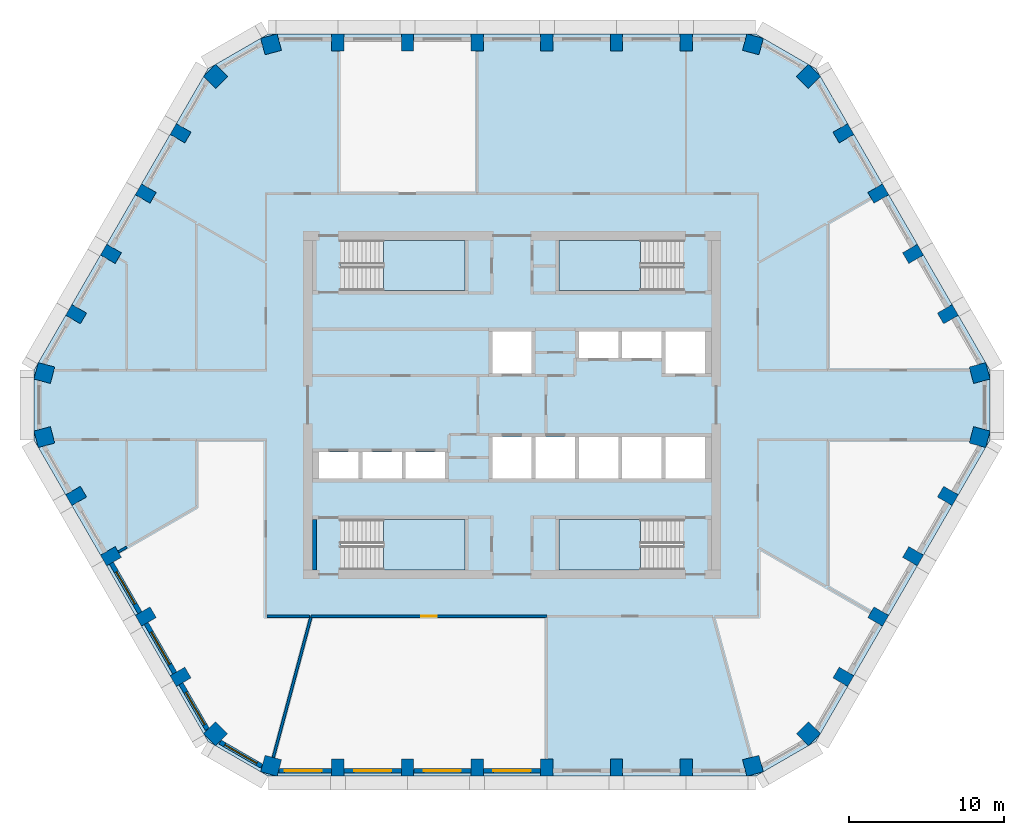
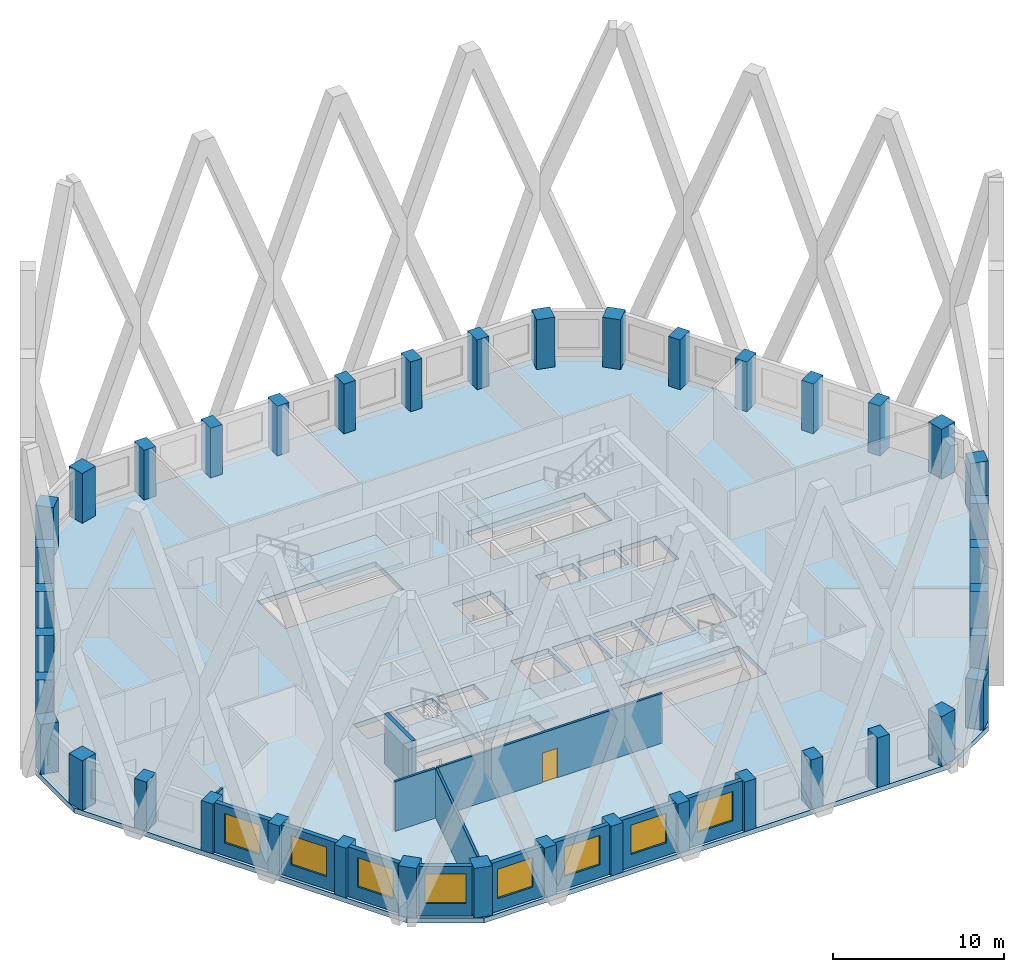
# One storey, part 1 of 15: 40 columns, 13 walls, 8 windows, 5 slabs, 1 door, 9 openings, 4 elements without a shape of their own.
"""IFC4 building model written with IfcOpenShell, lengths in metres."""

import ifcopenshell
import ifcopenshell.guid

model = None  # the IFC model being written
_history = None  # IfcOwnerHistory: only IFC2X3 demands one
_inside = {}  # id of a spatial element -> (the spatial element, [elements in it])
_under = {}  # id of a project, library or spatial element -> (it, [spatial elements below it])
_declared = {}  # id of a project -> (the project, [libraries it declares])
_typed = {}  # id of a type object -> (the type object, [elements of that type])
_made_of = {}  # id of a material, layer set ... -> (it, [elements and type objects made of it])


def new_model(schema):
    """Start an empty IFC model of exactly this schema.

    Asked for "IFC4X3", IfcOpenShell would pick the latest addendum, in which some entities
    have other attributes; the version numbers below select the first issue.
    IFC2X3 requires an IfcOwnerHistory on every rooted entity: one is made here for all.
    """
    global model, _history
    if schema == "IFC4X3":
        model = ifcopenshell.file(schema_version=(4, 3, 0, 0))
    else:
        model = ifcopenshell.file(schema=schema)
    _inside.clear()
    _under.clear()
    _declared.clear()
    _typed.clear()
    _made_of.clear()
    _history = None
    if model.schema == "IFC2X3":
        org = make("IfcOrganization", Name="unknown")
        user = make(
            "IfcPersonAndOrganization",
            ThePerson=make("IfcPerson", FamilyName="unknown"),
            TheOrganization=org,
        )
        app = make(
            "IfcApplication",
            ApplicationDeveloper=org,
            Version="unknown",
            ApplicationFullName="unknown",
            ApplicationIdentifier="unknown",
        )
        _history = make(
            "IfcOwnerHistory",
            OwningUser=user,
            OwningApplication=app,
            ChangeAction="ADDED",
            CreationDate=0,
        )
    return model


def make(cls, **values):
    """One entity of the class cls with the attributes given. An attribute that is None is left unset."""
    return model.create_entity(
        cls, **{name: value for name, value in values.items() if value is not None}
    )


def rooted(cls, **values):
    """An entity with a GlobalId (a new one), such as an element, a storey or a relation."""
    return make(cls, GlobalId=ifcopenshell.guid.new(), OwnerHistory=_history, **values)


def si_unit(unit_type, name, prefix=None):
    """IfcSIUnit, for example si_unit("LENGTHUNIT", "METRE", prefix="MILLI")."""
    return make("IfcSIUnit", UnitType=unit_type, Prefix=prefix, Name=name)


def assignment(units):
    """IfcUnitAssignment: the units of a project."""
    return None if units is None else make("IfcUnitAssignment", Units=units)


def point(xyz):
    """IfcCartesianPoint."""
    return None if xyz is None else make("IfcCartesianPoint", Coordinates=xyz)


def direction(xyz):
    """IfcDirection."""
    return None if xyz is None else make("IfcDirection", DirectionRatios=xyz)


def frame(location, z_axis=None, x_axis=None):
    """IfcAxis2Placement3D, a coordinate frame: its origin and axes. An axis left out is left unset."""
    return make(
        "IfcAxis2Placement3D",
        Location=point(location),
        Axis=direction(z_axis),
        RefDirection=direction(x_axis),
    )


def frame_2d(location, x_axis=None):
    """IfcAxis2Placement2D, a coordinate frame in the plane: its origin and x axis."""
    return make(
        "IfcAxis2Placement2D", Location=point(location), RefDirection=direction(x_axis)
    )


def origin():
    """The frame at (0, 0, 0) with its axes left unset."""
    return frame((0.0, 0.0, 0.0))


def origin_2d():
    """The frame at (0, 0) in the plane with its x axis left unset."""
    return frame_2d((0.0, 0.0))


def place(relative_to, where):
    """IfcLocalPlacement: puts the frame where relative to a parent placement (None: the world)."""
    return make(
        "IfcLocalPlacement", PlacementRelTo=relative_to, RelativePlacement=where
    )


def context(
    kind, dimensions, precision=None, world=None, true_north=None, identifier=None
):
    """IfcGeometricRepresentationContext, for example the 3D "Model" context."""
    return make(
        "IfcGeometricRepresentationContext",
        ContextIdentifier=identifier,
        ContextType=kind,
        CoordinateSpaceDimension=dimensions,
        Precision=precision,
        WorldCoordinateSystem=world,
        TrueNorth=true_north,
    )


def subcontext(parent, identifier, kind, view, scale=None):
    """IfcGeometricRepresentationSubContext, for example "Body" below "Model"."""
    return make(
        "IfcGeometricRepresentationSubContext",
        ContextIdentifier=identifier,
        ContextType=kind,
        ParentContext=parent,
        TargetScale=scale,
        TargetView=view,
    )


def project(units=None, contexts=None):
    """IfcProject with its units and contexts."""
    return rooted(
        "IfcProject",
        Name="project",
        RepresentationContexts=contexts,
        UnitsInContext=assignment(units),
    )


def spatial(cls, under=None, at=None, **own):
    """A site, building, storey or space (cls), placed at a placement, below another one or the project."""
    s = rooted(cls, ObjectPlacement=at, **own)
    if under is not None:
        _under.setdefault(under.id(), (under, []))[1].append(s)
    return s


def polyline(points):
    """IfcPolyline through the points."""
    return make("IfcPolyline", Points=[point(p) for p in points])


def profile(cls, at=None, kind="AREA", **sizes):
    """A parametric profile (cls). Its sizes go by their IFC names, for example OverallWidth=200.0."""
    return make(cls, ProfileType=kind, Position=at, **sizes)


def rectangle(**sizes):
    """IfcRectangleProfileDef."""
    return profile("IfcRectangleProfileDef", **sizes)


def outline(outer, holes=None, kind="AREA"):
    """IfcArbitraryClosedProfileDef: a profile drawn as a closed curve; with holes, ...WithVoids."""
    if holes is None:
        return make("IfcArbitraryClosedProfileDef", ProfileType=kind, OuterCurve=outer)
    return make(
        "IfcArbitraryProfileDefWithVoids",
        ProfileType=kind,
        OuterCurve=outer,
        InnerCurves=holes,
    )


def extrude(swept, where, along, depth):
    """IfcExtrudedAreaSolid: the profile swept, set in the frame where, extruded along a direction by depth."""
    return make(
        "IfcExtrudedAreaSolid",
        SweptArea=swept,
        Position=where,
        ExtrudedDirection=direction(along),
        Depth=depth,
    )


def shape(context_of_items, identifier, shape_type, items):
    """IfcShapeRepresentation: the items that make up one representation, for example the "Body"."""
    return make(
        "IfcShapeRepresentation",
        ContextOfItems=context_of_items,
        RepresentationIdentifier=identifier,
        RepresentationType=shape_type,
        Items=items,
    )


def material(Name=None, Category=None):
    """IfcMaterial."""
    return make("IfcMaterial", Name=Name, Category=Category)


def layer(
    of_material, thickness, ventilated=None, Name=None, Category=None, Priority=None
):
    """IfcMaterialLayer: one layer of a wall or slab, of a material (None: an air gap)."""
    return make(
        "IfcMaterialLayer",
        Material=of_material,
        LayerThickness=thickness,
        IsVentilated=ventilated,
        Name=Name,
        Category=Category,
        Priority=Priority,
    )


def layer_set(layers, Name=None):
    """IfcMaterialLayerSet."""
    return make("IfcMaterialLayerSet", MaterialLayers=layers, LayerSetName=Name)


def material_profile(
    of_material, cross_section, Name=None, Category=None, Priority=None
):
    """IfcMaterialProfile: a cross section and its material."""
    return make(
        "IfcMaterialProfile",
        Name=Name,
        Material=of_material,
        Profile=cross_section,
        Priority=Priority,
        Category=Category,
    )


def profile_set(profiles, Name=None, composite=None):
    """IfcMaterialProfileSet."""
    return make(
        "IfcMaterialProfileSet",
        Name=Name,
        MaterialProfiles=profiles,
        CompositeProfile=composite,
    )


def made_of(thing, what):
    """Note that an element or type object is made of a material, layer set ...; save() writes the relation."""
    if what is not None:
        _made_of.setdefault(what.id(), (what, []))[1].append(thing)
    return thing


def type_object(cls, material=None, **own):
    """A type object (cls), such as IfcWallType, which elements share."""
    return made_of(rooted(cls, **own), material)


def element(
    cls,
    number,
    at=None,
    inside=None,
    cuts=None,
    type_object=None,
    material=None,
    context=None,
    identifier="Body",
    shape_type=None,
    held_by="IfcProductDefinitionShape",
    body=None,
    shapes=None,
    **own,
):
    """One element of the class cls, such as IfcWall. Its Tag is "e" and its number.

    at: its placement. inside: the storey or other place that contains it. cuts: it is an
    opening in that element (IfcRelVoidsElement). A single representation is given by context,
    identifier, shape_type and body (its items); several are given by shapes. held_by: the class
    of the entity that holds the representations. save() writes the other relations.
    """
    e = rooted(cls, Tag="e%d" % number, ObjectPlacement=at, **own)
    if body is not None:
        shapes = [shape(context, identifier, shape_type, body)]
    if shapes is not None:
        e.Representation = make(held_by, Representations=shapes)
    if inside is not None:
        _inside.setdefault(inside.id(), (inside, []))[1].append(e)
    if cuts is not None:
        rooted(
            "IfcRelVoidsElement", RelatingBuildingElement=cuts, RelatedOpeningElement=e
        )
    if type_object is not None:
        _typed.setdefault(type_object.id(), (type_object, []))[1].append(e)
    return made_of(e, material)


def fill(opening, filler):
    """IfcRelFillsElement: the door or window that sits in an opening."""
    return rooted(
        "IfcRelFillsElement",
        RelatingOpeningElement=opening,
        RelatedBuildingElement=filler,
    )


def aggregate(whole, parts):
    """IfcRelAggregates: a whole, such as a stair, and the parts it consists of."""
    return rooted("IfcRelAggregates", RelatingObject=whole, RelatedObjects=parts)


def save(model, path):
    """Write the relations noted so far, then the file.

    IfcRelAggregates (storeys below a building ...), IfcRelContainedInSpatialStructure (elements
    in a storey), IfcRelDefinesByType, IfcRelAssociatesMaterial and IfcRelDeclares: one each for
    every whole, place, type object, material and project.
    """
    for whole, parts in _under.values():
        aggregate(whole, parts)
    for where, things in _inside.values():
        rooted(
            "IfcRelContainedInSpatialStructure",
            RelatedElements=things,
            RelatingStructure=where,
        )
    for kind, things in _typed.values():
        rooted("IfcRelDefinesByType", RelatedObjects=things, RelatingType=kind)
    for what, things in _made_of.values():
        rooted("IfcRelAssociatesMaterial", RelatedObjects=things, RelatingMaterial=what)
    for by, libraries in _declared.values():
        rooted("IfcRelDeclares", RelatingContext=by, RelatedDefinitions=libraries)
    model.write(path)


model = new_model("IFC4")

# Units and contexts
model_context = context("Model", 3, precision=1e-05, world=origin(), true_north=direction((0.0, 1.0)))
body_context = subcontext(model_context, "Body", "Model", "MODEL_VIEW")
ifc_project = project(units=[si_unit("LENGTHUNIT", "METRE"), si_unit("AREAUNIT", "SQUARE_METRE"), si_unit("VOLUMEUNIT", "CUBIC_METRE"), si_unit("PLANEANGLEUNIT", "RADIAN"), si_unit("MASSUNIT", "GRAM", prefix="KILO")], contexts=[model_context])

# Site, building, storey
site_placement = place(None, origin())
site = spatial("IfcSite", under=ifc_project, at=site_placement, CompositionType="ELEMENT")
building_placement = place(site_placement, origin())
building = spatial("IfcBuilding", under=site, at=building_placement, Name="Dhurran Vertical Campus", CompositionType="ELEMENT")
storey_placement = place(building_placement, frame((0.0, 0.0, 207.300048828125)))
storey = spatial("IfcBuildingStorey", under=building, at=storey_placement, Name="L51", CompositionType="ELEMENT", Elevation=207.300048828125)

# Columns
ifc_material_1 = material(Name="Concrete C50/60", Category="concrete")
ifc_material_profile_1 = material_profile(ifc_material_1, rectangle(XDim=1.10009765625, YDim=1.10009765625, at=origin_2d()), Name="RC 1100x1100")
ifc_profile_set_1 = profile_set([ifc_material_profile_1], Name="Concrete C50/60")
column_type_1 = type_object("IfcColumnType", Name="FR COL RC 1100x1100 C50/60", PredefinedType="COLUMN", material=ifc_profile_set_1)
for number, where, z_axis, x_axis, name in (
    (1, (-15.569580078125, -23.31201171875, 0.0), (0.0, 0.0, 1.0), (0.965925826289, -0.258819045103, 0.0), "Perimeter pier PP4.00"),
    (2, (15.569580078125, -23.31201171875, 0.0), (0.0, 0.0, 1.0), (0.965925826289, 0.258819045103, 0.0), "Perimeter pier PP4.07"),
    (3, (19.154052734375, -21.242431640625, 0.0), (0.0, 0.0, 1.0), (0.707106781187, 0.707106781187, 0.0), "Perimeter pier PP4.08"),
    (4, (30.223388671875, -2.069580078125, 0.0), (0.0, 0.0, 1.0), (0.258819045103, 0.965925826289, 0.0), "Perimeter pier PP4.13"),
    (5, (30.223388671875, 2.069580078125, 0.0), (0.0, 0.0, 1.0), (-0.258819045103, 0.965925826289, 0.0), "Perimeter pier PP4.14"),
    (6, (19.154052734375, 21.242431640625, 0.0), (0.0, 0.0, 1.0), (-0.707106781187, 0.707106781187, 0.0), "Perimeter pier PP4.19"),
    (7, (15.569580078125, 23.31201171875, 0.0), (0.0, 0.0, 1.0), (-0.965925826289, 0.258819045103, 0.0), "Perimeter pier PP4.20"),
    (8, (-15.569580078125, 23.31201171875, 0.0), (0.0, 0.0, 1.0), (-0.965925826289, -0.258819045103, 0.0), "Perimeter pier PP4.27"),
    (9, (-19.154052734375, 21.242431640625, 0.0), (0.0, 0.0, 1.0), (-0.707106781187, -0.707106781187, 0.0), "Perimeter pier PP4.28"),
    (10, (-30.223388671875, 2.069580078125, 0.0), (0.0, 0.0, 1.0), (-0.258819045103, -0.965925826289, 0.0), "Perimeter pier PP4.33"),
    (11, (-30.223388671875, -2.069580078125, 0.0), (0.0, 0.0, 1.0), (0.258819045103, -0.965925826289, 0.0), "Perimeter pier PP4.34"),
    (12, (-19.154052734375, -21.242431640625, 0.0), (0.0, 0.0, 1.0), (0.707106781187, -0.707106781187, 0.0), "Perimeter pier PP4.39"),
):
    element("IfcColumn", number, at=place(storey_placement, frame(where, z_axis=z_axis, x_axis=x_axis)), inside=storey, type_object=column_type_1, Name=name, PredefinedType="COLUMN", context=body_context, shape_type="SweptSolid", body=[
        extrude(rectangle(XDim=1.10009765625, YDim=1.10009765625, at=origin_2d()), origin(), (0.0, 0.0, 1.0), 3.550048828125),
    ])
ifc_material_2 = material(Name="Concrete C50/60", Category="concrete")
ifc_material_profile_2 = material_profile(ifc_material_2, rectangle(XDim=0.800048828125, YDim=1.10009765625, at=origin_2d()), Name="RC 800x1100")
ifc_profile_set_2 = profile_set([ifc_material_profile_2], Name="Concrete C50/60")
column_type_2 = type_object("IfcColumnType", Name="FR COL RC 800x1100 C50/60", PredefinedType="COLUMN", material=ifc_profile_set_2)
for number, where, z_axis, x_axis, name in (
    (13, (-11.25, -23.435546875, 0.0), (0.0, 0.0, 1.0), (1.0, 0.0, 0.0), "Perimeter pier PP4.01"),
    (14, (-6.75, -23.435546875, 0.0), (0.0, 0.0, 1.0), (1.0, 0.0, 0.0), "Perimeter pier PP4.02"),
    (15, (-2.25, -23.435546875, 0.0), (0.0, 0.0, 1.0), (1.0, 0.0, 0.0), "Perimeter pier PP4.03"),
    (16, (2.25, -23.435546875, 0.0), (0.0, 0.0, 1.0), (1.0, 0.0, 0.0), "Perimeter pier PP4.04"),
    (17, (6.75, -23.435546875, 0.0), (0.0, 0.0, 1.0), (1.0, 0.0, 0.0), "Perimeter pier PP4.05"),
    (18, (11.25, -23.435546875, 0.0), (0.0, 0.0, 1.0), (1.0, 0.0, 0.0), "Perimeter pier PP4.06"),
    (19, (21.4208984375, -17.5634765625, 0.0), (0.0, 0.0, 1.0), (0.5, 0.866025403784, 0.0), "Perimeter pier PP4.09"),
    (20, (23.6708984375, -13.666259765625, 0.0), (0.0, 0.0, 1.0), (0.5, 0.866025403784, 0.0), "Perimeter pier PP4.10"),
    (21, (25.9208984375, -9.769287109375, 0.0), (0.0, 0.0, 1.0), (0.5, 0.866025403784, 0.0), "Perimeter pier PP4.11"),
    (22, (28.1708984375, -5.8720703125, 0.0), (0.0, 0.0, 1.0), (0.5, 0.866025403784, 0.0), "Perimeter pier PP4.12"),
    (23, (28.1708984375, 5.8720703125, 0.0), (0.0, 0.0, 1.0), (-0.5, 0.866025403784, 0.0), "Perimeter pier PP4.15"),
    (24, (25.9208984375, 9.769287109375, 0.0), (0.0, 0.0, 1.0), (-0.5, 0.866025403784, 0.0), "Perimeter pier PP4.16"),
    (25, (23.6708984375, 13.666259765625, 0.0), (0.0, 0.0, 1.0), (-0.5, 0.866025403784, 0.0), "Perimeter pier PP4.17"),
    (26, (21.4208984375, 17.5634765625, 0.0), (0.0, 0.0, 1.0), (-0.5, 0.866025403784, 0.0), "Perimeter pier PP4.18"),
    (27, (11.25, 23.435546875, 0.0), (0.0, 0.0, 1.0), (-1.0, 0.0, 0.0), "Perimeter pier PP4.21"),
    (28, (6.75, 23.435546875, 0.0), (0.0, 0.0, 1.0), (-1.0, 0.0, 0.0), "Perimeter pier PP4.22"),
    (29, (2.25, 23.435546875, 0.0), (0.0, 0.0, 1.0), (-1.0, 0.0, 0.0), "Perimeter pier PP4.23"),
    (30, (-2.25, 23.435546875, 0.0), (0.0, 0.0, 1.0), (-1.0, 0.0, 0.0), "Perimeter pier PP4.24"),
    (31, (-6.75, 23.435546875, 0.0), (0.0, 0.0, 1.0), (-1.0, 0.0, 0.0), "Perimeter pier PP4.25"),
    (32, (-11.25, 23.435546875, 0.0), (0.0, 0.0, 1.0), (-1.0, 0.0, 0.0), "Perimeter pier PP4.26"),
    (33, (-21.4208984375, 17.5634765625, 0.0), (0.0, 0.0, 1.0), (-0.5, -0.866025403784, 0.0), "Perimeter pier PP4.29"),
    (34, (-23.6708984375, 13.666259765625, 0.0), (0.0, 0.0, 1.0), (-0.5, -0.866025403784, 0.0), "Perimeter pier PP4.30"),
    (35, (-25.9208984375, 9.769287109375, 0.0), (0.0, 0.0, 1.0), (-0.5, -0.866025403784, 0.0), "Perimeter pier PP4.31"),
    (36, (-28.1708984375, 5.8720703125, 0.0), (0.0, 0.0, 1.0), (-0.5, -0.866025403784, 0.0), "Perimeter pier PP4.32"),
    (37, (-28.1708984375, -5.8720703125, 0.0), (0.0, 0.0, 1.0), (0.5, -0.866025403784, 0.0), "Perimeter pier PP4.35"),
    (38, (-25.9208984375, -9.769287109375, 0.0), (0.0, 0.0, 1.0), (0.5, -0.866025403784, 0.0), "Perimeter pier PP4.36"),
    (39, (-23.6708984375, -13.666259765625, 0.0), (0.0, 0.0, 1.0), (0.5, -0.866025403784, 0.0), "Perimeter pier PP4.37"),
    (40, (-21.4208984375, -17.5634765625, 0.0), (0.0, 0.0, 1.0), (0.5, -0.866025403784, 0.0), "Perimeter pier PP4.38"),
):
    element("IfcColumn", number, at=place(storey_placement, frame(where, z_axis=z_axis, x_axis=x_axis)), inside=storey, type_object=column_type_2, Name=name, PredefinedType="COLUMN", context=body_context, shape_type="SweptSolid", body=[
        extrude(rectangle(XDim=0.800048828125, YDim=1.10009765625, at=origin_2d()), origin(), (0.0, 0.0, 1.0), 3.550048828125),
    ])

# Slab
ifc_material_3 = material(Name="Concrete C40/50", Category="concrete")
ifc_layer_1 = layer(ifc_material_3, 0.35009765625)
ifc_layer_set_1 = layer_set([ifc_layer_1], Name="Concrete C40/50")
slab_type_1 = type_object("IfcSlabType", Name="FR POST-TENSIONED FLAT SLAB 350", PredefinedType="FLOOR", material=ifc_layer_set_1)
slab_1_placement = place(storey_placement, frame((0.0, 0.0, -0.35009765625)))
element("IfcSlab", 41, at=slab_1_placement, inside=storey, type_object=slab_type_1, Name="Floor slab L51", PredefinedType="FLOOR", context=body_context, shape_type="SweptSolid", body=[
    extrude(outline(polyline([(-15.75, -23.985595703125), (15.75, -23.985595703125), (19.647216796875, -21.735595703125), (30.897216796875, -2.25), (30.897216796875, 2.25), (19.647216796875, 21.735595703125), (15.75, 23.985595703125), (-15.75, 23.985595703125), (-19.647216796875, 21.735595703125), (-30.897216796875, 2.25), (-30.897216796875, -2.25), (-19.647216796875, -21.735595703125), (-15.75, -23.985595703125)]), holes=[polyline([(-1.27490234375, 2.050048828125), (1.27490234375, 2.050048828125), (1.27490234375, 4.75), (-1.27490234375, 4.75), (-1.27490234375, 2.050048828125)]), polyline([(9.925048828125, 2.050048828125), (12.47509765625, 2.050048828125), (12.47509765625, 4.75), (9.925048828125, 4.75), (9.925048828125, 2.050048828125)]), polyline([(-1.27490234375, -4.75), (1.27490234375, -4.75), (1.27490234375, -2.050048828125), (-1.27490234375, -2.050048828125), (-1.27490234375, -4.75)]), polyline([(1.52490234375, -4.75), (4.074951171875, -4.75), (4.074951171875, -2.050048828125), (1.52490234375, -2.050048828125), (1.52490234375, -4.75)]), polyline([(4.324951171875, -4.75), (6.875, -4.75), (6.875, -2.050048828125), (4.324951171875, -2.050048828125), (4.324951171875, -4.75)]), polyline([(7.125, -4.75), (9.675048828125, -4.75), (9.675048828125, -2.050048828125), (7.125, -2.050048828125), (7.125, -4.75)]), polyline([(9.925048828125, -4.75), (12.47509765625, -4.75), (12.47509765625, -2.050048828125), (9.925048828125, -2.050048828125), (9.925048828125, -4.75)]), polyline([(4.324951171875, 3.050048828125), (6.875, 3.050048828125), (6.875, 4.75), (4.324951171875, 4.75), (4.324951171875, 3.050048828125)]), polyline([(7.125, 3.050048828125), (9.675048828125, 3.050048828125), (9.675048828125, 4.75), (7.125, 4.75), (7.125, 3.050048828125)]), polyline([(-12.47509765625, -4.75), (-9.925048828125, -4.75), (-9.925048828125, -3.050048828125), (-12.47509765625, -3.050048828125), (-12.47509765625, -4.75)]), polyline([(-9.675048828125, -4.75), (-7.125, -4.75), (-7.125, -3.050048828125), (-9.675048828125, -3.050048828125), (-9.675048828125, -4.75)]), polyline([(-6.875, -4.75), (-4.324951171875, -4.75), (-4.324951171875, -3.050048828125), (-6.875, -3.050048828125), (-6.875, -4.75)]), polyline([(-11.050048828125, 7.39990234375), (-3.050048828125, 7.39990234375), (-3.050048828125, 10.64990234375), (-11.050048828125, 10.64990234375), (-11.050048828125, 7.39990234375)]), polyline([(3.050048828125, 7.39990234375), (11.050048828125, 7.39990234375), (11.050048828125, 10.64990234375), (3.050048828125, 10.64990234375), (3.050048828125, 7.39990234375)]), polyline([(-11.050048828125, -10.64990234375), (-3.050048828125, -10.64990234375), (-3.050048828125, -7.39990234375), (-11.050048828125, -7.39990234375), (-11.050048828125, -10.64990234375)]), polyline([(3.050048828125, -10.64990234375), (11.050048828125, -10.64990234375), (11.050048828125, -7.39990234375), (3.050048828125, -7.39990234375), (3.050048828125, -10.64990234375)])]), origin(), (0.0, 0.0, 1.0), 0.35009765625),
])

# Stair, slab
ifc_material_4 = material(Name="Concrete C40/50", Category="concrete")
stair_type = type_object("IfcStairType", Name="co-ST-CORE", PredefinedType="HALF_TURN_STAIR", material=ifc_material_4)
stair_1_placement = place(storey_placement, origin())
stair_1 = element("IfcStair", 42, at=stair_1_placement, inside=storey, type_object=stair_type, Name="L51 Protected exit stair ST1", PredefinedType="HALF_TURN_STAIR")
ifc_material_5 = material(Name="Concrete C40/50", Category="concrete")
ifc_layer_2 = layer(ifc_material_5, 0.199951171875)
ifc_layer_set_2 = layer_set([ifc_layer_2], Name="Concrete C40/50")
slab_type_2 = type_object("IfcSlabType", Name="co-SL-LANDING", PredefinedType="LANDING", material=ifc_layer_set_2)
slab_2_placement = place(storey_placement, frame((0.0, 0.0, 1.75)))
slab_2 = element("IfcSlab", 43, at=slab_2_placement, type_object=slab_type_2, Name="ST1 landing 1", PredefinedType="LANDING", context=body_context, shape_type="SweptSolid", body=[
    extrude(outline(polyline([(-8.300048828125, 7.39990234375), (-3.050048828125, 7.39990234375), (-3.050048828125, 10.64990234375), (-8.300048828125, 10.64990234375), (-8.300048828125, 7.39990234375)])), origin(), (0.0, 0.0, 1.0), 0.199951171875),
])
aggregate(stair_1, [slab_2])

stair_2_placement = place(storey_placement, origin())
stair_2 = element("IfcStair", 44, at=stair_2_placement, inside=storey, type_object=stair_type, Name="L51 Protected exit stair ST2", PredefinedType="HALF_TURN_STAIR")
slab_3_placement = place(storey_placement, frame((0.0, 0.0, 1.75)))
slab_3 = element("IfcSlab", 45, at=slab_3_placement, type_object=slab_type_2, Name="ST2 landing 1", PredefinedType="LANDING", context=body_context, shape_type="SweptSolid", body=[
    extrude(outline(polyline([(8.300048828125, 10.64990234375), (3.050048828125, 10.64990234375), (3.050048828125, 7.39990234375), (8.300048828125, 7.39990234375), (8.300048828125, 10.64990234375)])), origin(), (0.0, 0.0, 1.0), 0.199951171875),
])
aggregate(stair_2, [slab_3])

stair_3_placement = place(storey_placement, origin())
stair_3 = element("IfcStair", 46, at=stair_3_placement, inside=storey, type_object=stair_type, Name="L51 Protected exit stair ST3", PredefinedType="HALF_TURN_STAIR")
slab_4_placement = place(storey_placement, frame((0.0, 0.0, 1.75)))
slab_4 = element("IfcSlab", 47, at=slab_4_placement, type_object=slab_type_2, Name="ST3 landing 1", PredefinedType="LANDING", context=body_context, shape_type="SweptSolid", body=[
    extrude(outline(polyline([(-8.300048828125, -10.64990234375), (-3.050048828125, -10.64990234375), (-3.050048828125, -7.39990234375), (-8.300048828125, -7.39990234375), (-8.300048828125, -10.64990234375)])), origin(), (0.0, 0.0, 1.0), 0.199951171875),
])
aggregate(stair_3, [slab_4])

stair_4_placement = place(storey_placement, origin())
stair_4 = element("IfcStair", 48, at=stair_4_placement, inside=storey, type_object=stair_type, Name="L51 Protected exit stair ST4", PredefinedType="HALF_TURN_STAIR")
slab_5_placement = place(storey_placement, frame((0.0, 0.0, 1.75)))
slab_5 = element("IfcSlab", 49, at=slab_5_placement, type_object=slab_type_2, Name="ST4 landing 1", PredefinedType="LANDING", context=body_context, shape_type="SweptSolid", body=[
    extrude(outline(polyline([(8.300048828125, -7.39990234375), (3.050048828125, -7.39990234375), (3.050048828125, -10.64990234375), (8.300048828125, -10.64990234375), (8.300048828125, -7.39990234375)])), origin(), (0.0, 0.0, 1.0), 0.199951171875),
])
aggregate(stair_4, [slab_5])

# Wall, opening, window
ifc_material_6 = material(Name="Precast concrete C50/60", Category="concrete")
ifc_layer_3 = layer(ifc_material_6, 0.300048828125)
ifc_layer_set_3 = layer_set([ifc_layer_3], Name="Precast concrete C50/60")
wall_type_1 = type_object("IfcWallType", Name="Precast spandrel wall 300", PredefinedType="SOLIDWALL", material=ifc_layer_set_3)
wall_1_placement = place(storey_placement, frame((-15.04638671875, -23.635498046875, 0.0), z_axis=(0.0, 0.0, 1.0), x_axis=(1.0, 0.0, 0.0)))
wall_1 = element("IfcWall", 50, at=wall_1_placement, inside=storey, type_object=wall_type_1, Name="EW1 L51.00", PredefinedType="SOLIDWALL", context=body_context, shape_type="SweptSolid", body=[
    extrude(rectangle(XDim=3.39599609375, YDim=0.300048828125, at=frame_2d((1.697998046875, 0.0))), origin(), (0.0, 0.0, 1.0), 3.550048828125),
])
opening_1_placement = place(wall_1_placement, frame((0.34619140625, 0.0, 0.89990234375)))
opening_1 = element("IfcOpeningElement", 51, at=opening_1_placement, cuts=wall_1, Name="Opening WT1", PredefinedType="OPENING", context=body_context, shape_type="SweptSolid", body=[
    extrude(rectangle(XDim=2.39990234375, YDim=2.10009765625, at=frame_2d((1.199951171875, 1.050048828125))), frame((0.0, 0.159912109375, 0.0), z_axis=(0.0, -1.0, 0.0), x_axis=(1.0, 0.0, 0.0)), (0.0, 0.0, 1.0), 0.320068359375),
])
ifc_material_7 = material(Name="Aluminium frame with solar-control glass", Category="aluminium")
window_type = type_object("IfcWindowType", Name="Punched window 2400 x 2100", PartitioningType="SINGLE_PANEL", PredefinedType="WINDOW", material=ifc_material_7)
window_1_placement = place(opening_1_placement, origin())
window_1 = element("IfcWindow", 52, at=window_1_placement, inside=storey, type_object=window_type, Name="WT1 L51.00", OverallHeight=2.10009765625, OverallWidth=2.39990234375, PartitioningType="SINGLE_PANEL", PredefinedType="WINDOW", context=body_context, shape_type="SweptSolid", body=[
    extrude(rectangle(XDim=2.39990234375, YDim=2.10009765625, at=frame_2d((1.199951171875, 1.050048828125))), frame((0.0, 0.030029296875, 0.0), z_axis=(0.0, -1.0, 0.0), x_axis=(1.0, 0.0, 0.0)), (0.0, 0.0, 1.0), 0.06005859375),
])
fill(opening_1, window_1)

wall_2_placement = place(storey_placement, frame((-10.849609375, -23.635498046875, 0.0), z_axis=(0.0, 0.0, 1.0), x_axis=(1.0, 0.0, 0.0)))
wall_2 = element("IfcWall", 53, at=wall_2_placement, inside=storey, type_object=wall_type_1, Name="EW1 L51.01", PredefinedType="SOLIDWALL", context=body_context, shape_type="SweptSolid", body=[
    extrude(rectangle(XDim=3.69921875, YDim=0.300048828125, at=frame_2d((1.849609375, 0.0))), origin(), (0.0, 0.0, 1.0), 3.550048828125),
])
opening_2_placement = place(wall_2_placement, frame((0.6494140625, 0.0, 0.89990234375)))
opening_2 = element("IfcOpeningElement", 54, at=opening_2_placement, cuts=wall_2, Name="Opening WT1", PredefinedType="OPENING", context=body_context, shape_type="SweptSolid", body=[
    extrude(rectangle(XDim=2.39990234375, YDim=2.10009765625, at=frame_2d((1.199951171875, 1.050048828125))), frame((0.0, 0.159912109375, 0.0), z_axis=(0.0, -1.0, 0.0), x_axis=(1.0, 0.0, 0.0)), (0.0, 0.0, 1.0), 0.320068359375),
])
window_2_placement = place(opening_2_placement, origin())
window_2 = element("IfcWindow", 55, at=window_2_placement, inside=storey, type_object=window_type, Name="WT1 L51.01", OverallHeight=2.10009765625, OverallWidth=2.39990234375, PartitioningType="SINGLE_PANEL", PredefinedType="WINDOW", context=body_context, shape_type="SweptSolid", body=[
    extrude(rectangle(XDim=2.39990234375, YDim=2.10009765625, at=frame_2d((1.199951171875, 1.050048828125))), frame((0.0, 0.030029296875, 0.0), z_axis=(0.0, -1.0, 0.0), x_axis=(1.0, 0.0, 0.0)), (0.0, 0.0, 1.0), 0.06005859375),
])
fill(opening_2, window_2)

wall_3_placement = place(storey_placement, frame((-6.349609375, -23.635498046875, 0.0), z_axis=(0.0, 0.0, 1.0), x_axis=(1.0, 0.0, 0.0)))
wall_3 = element("IfcWall", 56, at=wall_3_placement, inside=storey, type_object=wall_type_1, Name="EW1 L51.02", PredefinedType="SOLIDWALL", context=body_context, shape_type="SweptSolid", body=[
    extrude(rectangle(XDim=3.69921875, YDim=0.300048828125, at=frame_2d((1.849609375, 0.0))), origin(), (0.0, 0.0, 1.0), 3.550048828125),
])
opening_3_placement = place(wall_3_placement, frame((0.6494140625, 0.0, 0.89990234375)))
opening_3 = element("IfcOpeningElement", 57, at=opening_3_placement, cuts=wall_3, Name="Opening WT1", PredefinedType="OPENING", context=body_context, shape_type="SweptSolid", body=[
    extrude(rectangle(XDim=2.39990234375, YDim=2.10009765625, at=frame_2d((1.199951171875, 1.050048828125))), frame((0.0, 0.159912109375, 0.0), z_axis=(0.0, -1.0, 0.0), x_axis=(1.0, 0.0, 0.0)), (0.0, 0.0, 1.0), 0.320068359375),
])
window_3_placement = place(opening_3_placement, origin())
window_3 = element("IfcWindow", 58, at=window_3_placement, inside=storey, type_object=window_type, Name="WT1 L51.02", OverallHeight=2.10009765625, OverallWidth=2.39990234375, PartitioningType="SINGLE_PANEL", PredefinedType="WINDOW", context=body_context, shape_type="SweptSolid", body=[
    extrude(rectangle(XDim=2.39990234375, YDim=2.10009765625, at=frame_2d((1.199951171875, 1.050048828125))), frame((0.0, 0.030029296875, 0.0), z_axis=(0.0, -1.0, 0.0), x_axis=(1.0, 0.0, 0.0)), (0.0, 0.0, 1.0), 0.06005859375),
])
fill(opening_3, window_3)

wall_4_placement = place(storey_placement, frame((-1.849609375, -23.635498046875, 0.0), z_axis=(0.0, 0.0, 1.0), x_axis=(1.0, 0.0, 0.0)))
wall_4 = element("IfcWall", 59, at=wall_4_placement, inside=storey, type_object=wall_type_1, Name="EW1 L51.03", PredefinedType="SOLIDWALL", context=body_context, shape_type="SweptSolid", body=[
    extrude(rectangle(XDim=3.69921875, YDim=0.300048828125, at=frame_2d((1.849609375, 0.0))), origin(), (0.0, 0.0, 1.0), 3.550048828125),
])
opening_4_placement = place(wall_4_placement, frame((0.6494140625, 0.0, 0.89990234375)))
opening_4 = element("IfcOpeningElement", 60, at=opening_4_placement, cuts=wall_4, Name="Opening WT1", PredefinedType="OPENING", context=body_context, shape_type="SweptSolid", body=[
    extrude(rectangle(XDim=2.39990234375, YDim=2.10009765625, at=frame_2d((1.199951171875, 1.050048828125))), frame((0.0, 0.159912109375, 0.0), z_axis=(0.0, -1.0, 0.0), x_axis=(1.0, 0.0, 0.0)), (0.0, 0.0, 1.0), 0.320068359375),
])
window_4_placement = place(opening_4_placement, origin())
window_4 = element("IfcWindow", 61, at=window_4_placement, inside=storey, type_object=window_type, Name="WT1 L51.03", OverallHeight=2.10009765625, OverallWidth=2.39990234375, PartitioningType="SINGLE_PANEL", PredefinedType="WINDOW", context=body_context, shape_type="SweptSolid", body=[
    extrude(rectangle(XDim=2.39990234375, YDim=2.10009765625, at=frame_2d((1.199951171875, 1.050048828125))), frame((0.0, 0.030029296875, 0.0), z_axis=(0.0, -1.0, 0.0), x_axis=(1.0, 0.0, 0.0)), (0.0, 0.0, 1.0), 0.06005859375),
])
fill(opening_4, window_4)

wall_5_placement = place(storey_placement, frame((-25.893798828125, -10.216064453125, 0.0), z_axis=(0.0, 0.0, 1.0), x_axis=(0.500029062817, -0.866008623709, 0.0)))
wall_5 = element("IfcWall", 62, at=wall_5_placement, inside=storey, type_object=wall_type_1, Name="EW1 L51.36", PredefinedType="SOLIDWALL", context=body_context, shape_type="SweptSolid", body=[
    extrude(rectangle(XDim=3.698974609375, YDim=0.300048828125, at=frame_2d((1.849609375, 0.0))), origin(), (0.0, 0.0, 1.0), 3.550048828125),
])
opening_5_placement = place(wall_5_placement, frame((0.6494140625, 0.0, 0.89990234375)))
opening_5 = element("IfcOpeningElement", 63, at=opening_5_placement, cuts=wall_5, Name="Opening WT1", PredefinedType="OPENING", context=body_context, shape_type="SweptSolid", body=[
    extrude(rectangle(XDim=2.39990234375, YDim=2.10009765625, at=frame_2d((1.199951171875, 1.050048828125))), frame((0.0, 0.159912109375, 0.0), z_axis=(0.0, -1.0, 0.0), x_axis=(1.0, 0.0, 0.0)), (0.0, 0.0, 1.0), 0.320068359375),
])
window_5_placement = place(opening_5_placement, origin())
window_5 = element("IfcWindow", 64, at=window_5_placement, inside=storey, type_object=window_type, Name="WT1 L51.36", OverallHeight=2.10009765625, OverallWidth=2.39990234375, PartitioningType="SINGLE_PANEL", PredefinedType="WINDOW", context=body_context, shape_type="SweptSolid", body=[
    extrude(rectangle(XDim=2.39990234375, YDim=2.10009765625, at=frame_2d((1.199951171875, 1.050048828125))), frame((0.0, 0.030029296875, 0.0), z_axis=(0.0, -1.0, 0.0), x_axis=(1.0, 0.0, 0.0)), (0.0, 0.0, 1.0), 0.06005859375),
])
fill(opening_5, window_5)

wall_6_placement = place(storey_placement, frame((-23.643798828125, -14.11328125, 0.0), z_axis=(0.0, 0.0, 1.0), x_axis=(0.500029062817, -0.866008623709, 0.0)))
wall_6 = element("IfcWall", 65, at=wall_6_placement, inside=storey, type_object=wall_type_1, Name="EW1 L51.37", PredefinedType="SOLIDWALL", context=body_context, shape_type="SweptSolid", body=[
    extrude(rectangle(XDim=3.698974609375, YDim=0.300048828125, at=frame_2d((1.849609375, 0.0))), origin(), (0.0, 0.0, 1.0), 3.550048828125),
])
opening_6_placement = place(wall_6_placement, frame((0.6494140625, 0.0, 0.89990234375)))
opening_6 = element("IfcOpeningElement", 66, at=opening_6_placement, cuts=wall_6, Name="Opening WT1", PredefinedType="OPENING", context=body_context, shape_type="SweptSolid", body=[
    extrude(rectangle(XDim=2.39990234375, YDim=2.10009765625, at=frame_2d((1.199951171875, 1.050048828125))), frame((0.0, 0.159912109375, 0.0), z_axis=(0.0, -1.0, 0.0), x_axis=(1.0, 0.0, 0.0)), (0.0, 0.0, 1.0), 0.320068359375),
])
window_6_placement = place(opening_6_placement, origin())
window_6 = element("IfcWindow", 67, at=window_6_placement, inside=storey, type_object=window_type, Name="WT1 L51.37", OverallHeight=2.10009765625, OverallWidth=2.39990234375, PartitioningType="SINGLE_PANEL", PredefinedType="WINDOW", context=body_context, shape_type="SweptSolid", body=[
    extrude(rectangle(XDim=2.39990234375, YDim=2.10009765625, at=frame_2d((1.199951171875, 1.050048828125))), frame((0.0, 0.030029296875, 0.0), z_axis=(0.0, -1.0, 0.0), x_axis=(1.0, 0.0, 0.0)), (0.0, 0.0, 1.0), 0.06005859375),
])
fill(opening_6, window_6)

wall_7_placement = place(storey_placement, frame((-21.393798828125, -18.01025390625, 0.0), z_axis=(0.0, 0.0, 1.0), x_axis=(0.500012868213, -0.866017974191, 0.0)))
wall_7 = element("IfcWall", 68, at=wall_7_placement, inside=storey, type_object=wall_type_1, Name="EW1 L51.38", PredefinedType="SOLIDWALL", context=body_context, shape_type="SweptSolid", body=[
    extrude(rectangle(XDim=3.39599609375, YDim=0.300048828125, at=frame_2d((1.697998046875, 0.0))), origin(), (0.0, 0.0, 1.0), 3.550048828125),
])
opening_7_placement = place(wall_7_placement, frame((0.6494140625, 0.0, 0.89990234375)))
opening_7 = element("IfcOpeningElement", 69, at=opening_7_placement, cuts=wall_7, Name="Opening WT1", PredefinedType="OPENING", context=body_context, shape_type="SweptSolid", body=[
    extrude(rectangle(XDim=2.39990234375, YDim=2.10009765625, at=frame_2d((1.199951171875, 1.050048828125))), frame((0.0, 0.159912109375, 0.0), z_axis=(0.0, -1.0, 0.0), x_axis=(1.0, 0.0, 0.0)), (0.0, 0.0, 1.0), 0.320068359375),
])
window_7_placement = place(opening_7_placement, origin())
window_7 = element("IfcWindow", 70, at=window_7_placement, inside=storey, type_object=window_type, Name="WT1 L51.38", OverallHeight=2.10009765625, OverallWidth=2.39990234375, PartitioningType="SINGLE_PANEL", PredefinedType="WINDOW", context=body_context, shape_type="SweptSolid", body=[
    extrude(rectangle(XDim=2.39990234375, YDim=2.10009765625, at=frame_2d((1.199951171875, 1.050048828125))), frame((0.0, 0.030029296875, 0.0), z_axis=(0.0, -1.0, 0.0), x_axis=(1.0, 0.0, 0.0)), (0.0, 0.0, 1.0), 0.06005859375),
])
fill(opening_7, window_7)

wall_8_placement = place(storey_placement, frame((-18.86279296875, -21.7841796875, 0.0), z_axis=(0.0, 0.0, 1.0), x_axis=(0.865994975416, -0.500052699777, 0.0)))
wall_8 = element("IfcWall", 71, at=wall_8_placement, inside=storey, type_object=wall_type_1, Name="EW1 L51.39", PredefinedType="SOLIDWALL", context=body_context, shape_type="SweptSolid", body=[
    extrude(rectangle(XDim=3.093017578125, YDim=0.300048828125, at=frame_2d((1.54638671875, 0.0))), origin(), (0.0, 0.0, 1.0), 3.550048828125),
])
opening_8_placement = place(wall_8_placement, frame((0.34619140625, 0.0, 0.89990234375)))
opening_8 = element("IfcOpeningElement", 72, at=opening_8_placement, cuts=wall_8, Name="Opening WT1", PredefinedType="OPENING", context=body_context, shape_type="SweptSolid", body=[
    extrude(rectangle(XDim=2.39990234375, YDim=2.10009765625, at=frame_2d((1.199951171875, 1.050048828125))), frame((0.0, 0.159912109375, 0.0), z_axis=(0.0, -1.0, 0.0), x_axis=(1.0, 0.0, 0.0)), (0.0, 0.0, 1.0), 0.320068359375),
])
window_8_placement = place(opening_8_placement, origin())
window_8 = element("IfcWindow", 73, at=window_8_placement, inside=storey, type_object=window_type, Name="WT1 L51.39", OverallHeight=2.10009765625, OverallWidth=2.39990234375, PartitioningType="SINGLE_PANEL", PredefinedType="WINDOW", context=body_context, shape_type="SweptSolid", body=[
    extrude(rectangle(XDim=2.39990234375, YDim=2.10009765625, at=frame_2d((1.199951171875, 1.050048828125))), frame((0.0, 0.030029296875, 0.0), z_axis=(0.0, -1.0, 0.0), x_axis=(1.0, 0.0, 0.0)), (0.0, 0.0, 1.0), 0.06005859375),
])
fill(opening_8, window_8)

# Walls
ifc_material_8 = material(Name="Concrete C40/50", Category="concrete")
ifc_layer_4 = layer(ifc_material_8, 0.25)
ifc_layer_set_4 = layer_set([ifc_layer_4], Name="Concrete C40/50")
wall_type_2 = type_object("IfcWallType", Name="co-STAIR-WALL-250", PredefinedType="SHEAR", material=ifc_layer_set_4)
wall_9_placement = place(storey_placement, frame((-12.77490234375, -10.64990234375, 0.0), z_axis=(0.0, 0.0, 1.0), x_axis=(0.0, 1.0, 0.0)))
element("IfcWall", 74, at=wall_9_placement, inside=storey, type_object=wall_type_2, Name="Stair ST3 enclosure wall L51", PredefinedType="SHEAR", context=body_context, shape_type="SweptSolid", body=[
    extrude(rectangle(XDim=3.25, YDim=0.25, at=frame_2d((1.625, 0.0))), origin(), (0.0, 0.0, 1.0), 3.550048828125),
])
ifc_material_9 = material(Name="Gypsum board corridor wall on steel studs", Category="steel")
ifc_layer_5 = layer(ifc_material_9, 0.14990234375)
ifc_layer_set_5 = layer_set([ifc_layer_5], Name="Gypsum board corridor wall on steel studs")
wall_type_3 = type_object("IfcWallType", Name="fl-CW-150 corridor wall", PredefinedType="PARTITIONING", material=ifc_layer_set_5)
wall_10_placement = place(storey_placement, frame((-15.824951171875, -13.64990234375, 0.0), z_axis=(0.0, 0.0, 1.0), x_axis=(1.0, 0.0, 0.0)))
element("IfcWall", 75, at=wall_10_placement, inside=storey, type_object=wall_type_3, Name="Partition 51-17", PredefinedType="PARTITIONING", context=body_context, shape_type="SweptSolid", body=[
    extrude(rectangle(XDim=2.7490234375, YDim=0.14990234375, at=frame_2d((1.37451171875, 0.0))), origin(), (0.0, 0.0, 1.0), 3.550048828125),
])

# Wall, opening, door
wall_11_placement = place(storey_placement, frame((-12.98095703125, -13.64990234375, 0.0), z_axis=(0.0, 0.0, 1.0), x_axis=(1.0, 0.0, 0.0)))
wall_11 = element("IfcWall", 76, at=wall_11_placement, inside=storey, type_object=wall_type_3, Name="Partition 51-22", PredefinedType="PARTITIONING", context=body_context, shape_type="SweptSolid", body=[
    extrude(rectangle(XDim=15.23095703125, YDim=0.14990234375, at=frame_2d((7.615478515625, 0.0))), origin(), (0.0, 0.0, 1.0), 3.550048828125),
])
opening_9_placement = place(wall_11_placement, frame((7.115478515625, 0.0, 0.0)))
opening_9 = element("IfcOpeningElement", 77, at=opening_9_placement, cuts=wall_11, Name="Opening T15.09", PredefinedType="OPENING", context=body_context, shape_type="SweptSolid", body=[
    extrude(rectangle(XDim=1.0, YDim=2.10009765625, at=frame_2d((0.5, 1.050048828125))), frame((0.0, 0.0849609375, 0.0), z_axis=(0.0, -1.0, 0.0), x_axis=(1.0, 0.0, 0.0)), (0.0, 0.0, 1.0), 0.169921875),
])
ifc_material_10 = material(Name="Solid-core timber door set, fire-rated", Category="wood")
door_type = type_object("IfcDoorType", Name="fl-D-1000x2100", OperationType="SINGLE_SWING_LEFT", PredefinedType="DOOR", material=ifc_material_10)
door_placement = place(opening_9_placement, origin())
door = element("IfcDoor", 78, at=door_placement, inside=storey, type_object=door_type, Name="Door 51.09", OperationType="SINGLE_SWING_RIGHT", OverallHeight=2.10009765625, OverallWidth=1.0, PredefinedType="DOOR", context=body_context, shape_type="SweptSolid", body=[
    extrude(rectangle(XDim=1.0, YDim=2.10009765625, at=frame_2d((0.5, 1.050048828125))), frame((0.0, 0.02490234375, 0.0), z_axis=(0.0, -1.0, 0.0), x_axis=(1.0, 0.0, 0.0)), (0.0, 0.0, 1.0), 0.050048828125),
])
fill(opening_9, door)

# Walls
ifc_material_11 = material(Name="Gypsum board partition on steel studs", Category="steel")
ifc_layer_6 = layer(ifc_material_11, 0.14990234375)
ifc_layer_set_6 = layer_set([ifc_layer_6], Name="Gypsum board partition on steel studs")
wall_type_4 = type_object("IfcWallType", Name="fl-PW-150 fixed partition", PredefinedType="PARTITIONING", material=ifc_layer_set_6)
wall_12_placement = place(storey_placement, frame((-24.89990234375, -9.179931640625, 0.0), z_axis=(0.0, 0.0, 1.0), x_axis=(-0.86593842012, -0.50015062987, 0.0)))
element("IfcWall", 79, at=wall_12_placement, inside=storey, type_object=wall_type_4, Name="Partition 51-03", PredefinedType="PARTITIONING", context=body_context, shape_type="SweptSolid", body=[
    extrude(rectangle(XDim=0.608642578125, YDim=0.14990234375, at=frame_2d((0.30419921875, 0.0))), origin(), (0.0, 0.0, 1.0), 3.550048828125),
])
wall_13_placement = place(storey_placement, frame((-13.00048828125, -13.722412109375, 0.0), z_axis=(0.0, 0.0, 1.0), x_axis=(-0.258812157425, -0.96592767181, 0.0)))
element("IfcWall", 80, at=wall_13_placement, inside=storey, type_object=wall_type_4, Name="Partition 51-21", PredefinedType="PARTITIONING", context=body_context, shape_type="SweptSolid", body=[
    extrude(rectangle(XDim=9.357666015625, YDim=0.14990234375, at=frame_2d((4.6787109375, 0.0))), origin(), (0.0, 0.0, 1.0), 3.550048828125),
])

save(model, "model.ifc")
